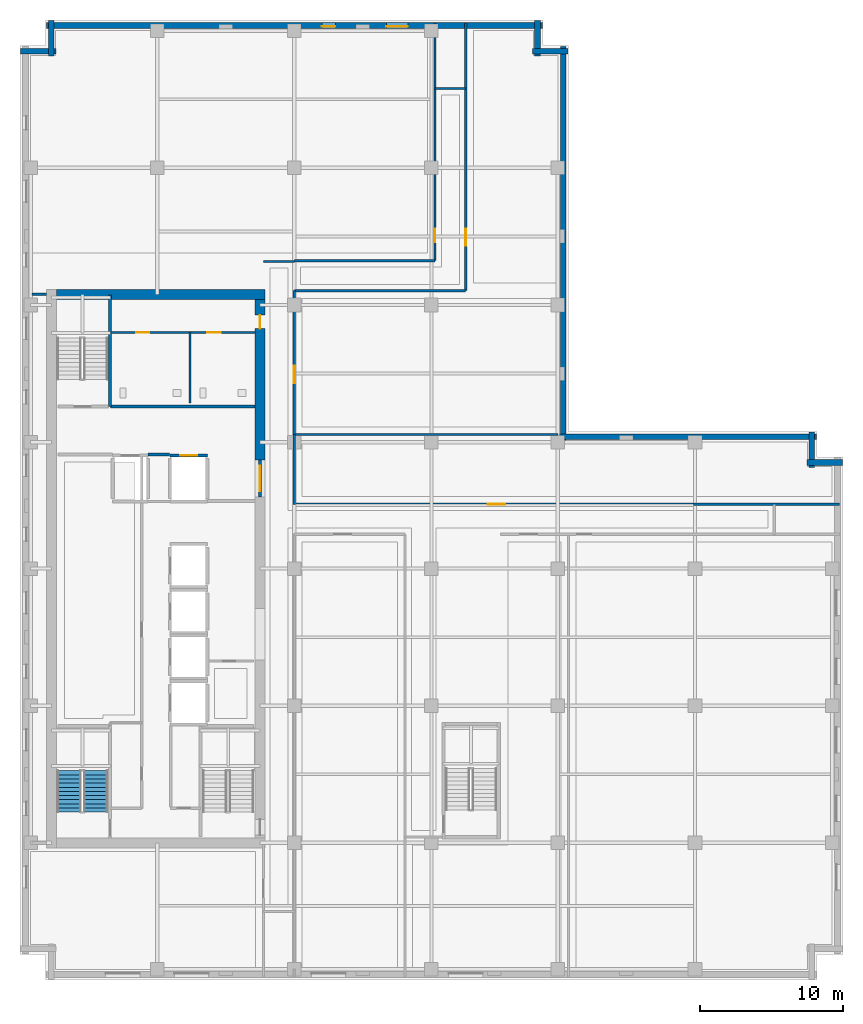
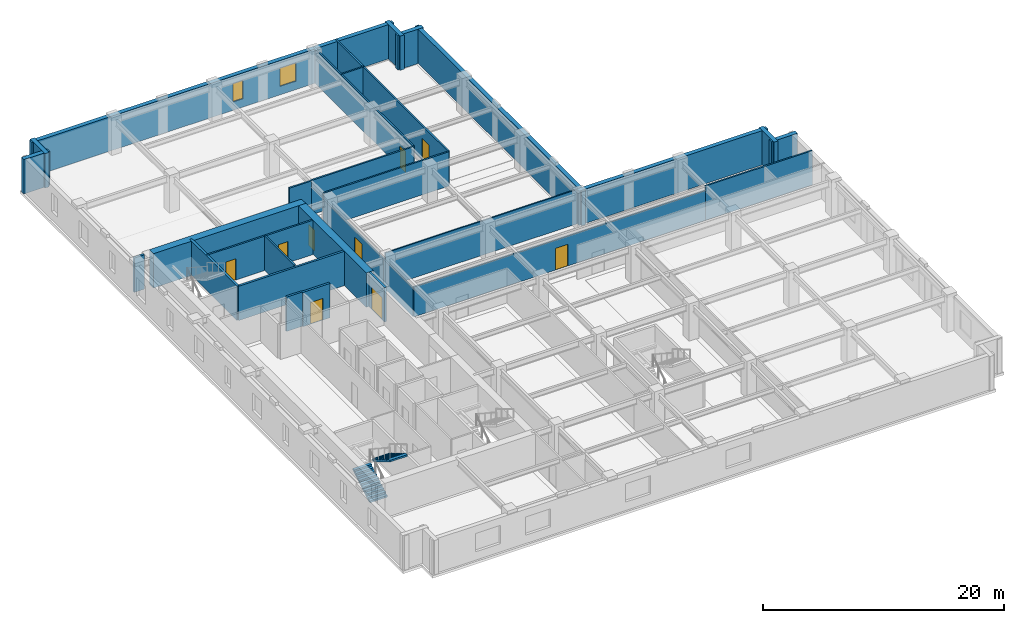
# One storey, part 7 of 13: 30 walls, 9 doors, 2 stair flights, 2 windows, 11 openings, 1 element without a shape of its own.
"""IFC4 building model written with IfcOpenShell, lengths in metres."""

from ifc_helpers import new_model, si_unit, direction, frame, frame_2d, origin, place, context, subcontext, project, spatial, polyline, rectangle, outline, extrude, material, layer, layer_set, type_object, element, fill, aggregate, save


model = new_model("IFC4")

# Units and contexts
model_context = context("Model", 3, precision=1e-05, world=origin(), true_north=direction((0.0, 1.0)))
body_context = subcontext(model_context, "Body", "Model", "MODEL_VIEW")
ifc_project = project(units=[si_unit("LENGTHUNIT", "METRE"), si_unit("AREAUNIT", "SQUARE_METRE"), si_unit("VOLUMEUNIT", "CUBIC_METRE"), si_unit("PLANEANGLEUNIT", "RADIAN"), si_unit("MASSUNIT", "GRAM", prefix="KILO")], contexts=[model_context])

# Site, building, storey
site_placement = place(None, origin())
site = spatial("IfcSite", under=ifc_project, at=site_placement, CompositionType="ELEMENT")
building_placement = place(site_placement, origin())
building = spatial("IfcBuilding", under=site, at=building_placement, Name="Norrvale University Quadrangle", CompositionType="ELEMENT")
storey_placement = place(building_placement, frame((0.0, 0.0, 190.199951171875)))
storey = spatial("IfcBuildingStorey", under=building, at=storey_placement, Name="L48", CompositionType="ELEMENT", Elevation=190.199951171875)

# Wall
ifc_material_1 = material(Name="Concrete C60/75", Category="concrete")
ifc_layer_1 = layer(ifc_material_1, 0.699951171875, Name="Concrete C60/75")
ifc_layer_set_1 = layer_set([ifc_layer_1], Name="Concrete C60/75")
wall_type_1 = type_object("IfcWallType", Name="Wall Core 700", PredefinedType="SHEAR", material=ifc_layer_set_1)
wall_1_placement = place(storey_placement, frame((2.550048828125, 48.0, 0.0), z_axis=(0.0, 0.0, 1.0), x_axis=(1.0, 0.0, 0.0)))
element("IfcWall", 1, at=wall_1_placement, inside=storey, type_object=wall_type_1, Name="Tower Core Shear Wall L48-N", PredefinedType="SHEAR", context=body_context, shape_type="SweptSolid", body=[
    extrude(rectangle(XDim=14.599853515625, YDim=0.699951171875, at=frame_2d((7.2998046875, 0.0))), origin(), (0.0, 0.0, 1.0), 3.47998046875),
])

# Wall, opening, door
wall_2_placement = place(storey_placement, frame((16.800048828125, 36.39990234375, 0.0), z_axis=(0.0, 0.0, 1.0), x_axis=(0.0, 1.0, 0.0)))
wall_2 = element("IfcWall", 2, at=wall_2_placement, inside=storey, type_object=wall_type_1, Name="Tower Core Shear Wall L48-E3", PredefinedType="SHEAR", context=body_context, shape_type="SweptSolid", body=[
    extrude(rectangle(XDim=11.25, YDim=0.699951171875, at=frame_2d((5.625, 0.0))), origin(), (0.0, 0.0, 1.0), 3.47998046875),
])
opening_1_placement = place(wall_2_placement, frame((9.199951171875, 0.0, 0.0)))
opening_1 = element("IfcOpeningElement", 3, at=opening_1_placement, cuts=wall_2, Name="Opening D07", PredefinedType="OPENING", context=body_context, shape_type="SweptSolid", body=[
    extrude(rectangle(XDim=0.949951171875, YDim=2.14990234375, at=frame_2d((0.47509765625, 1.074951171875))), frame((0.0, 0.362060546875, 0.0), z_axis=(0.0, -1.0, 0.0), x_axis=(1.0, 0.0, 0.0)), (0.0, 0.0, 1.0), 0.723876953125),
])
ifc_material_2 = material(Name="Solid-Core Maple Door", Category="wood")
door_type_1 = type_object("IfcDoorType", Name="Door Office 950x2150", OperationType="NOTDEFINED", PredefinedType="DOOR", material=ifc_material_2)
door_1_placement = place(opening_1_placement, origin())
door_1 = element("IfcDoor", 4, at=door_1_placement, inside=storey, type_object=door_type_1, Name="Door Office 950x2150 DR-L48-NECORR", OperationType="SINGLE_SWING_LEFT", OverallHeight=2.14990234375, OverallWidth=0.949951171875, PredefinedType="DOOR", context=body_context, shape_type="SweptSolid", body=[
    extrude(rectangle(XDim=0.949951171875, YDim=2.14990234375, at=frame_2d((0.47509765625, 1.074951171875))), frame((0.0, 0.02490234375, 0.0), z_axis=(0.0, -1.0, 0.0), x_axis=(1.0, 0.0, 0.0)), (0.0, 0.0, 1.0), 0.050048828125),
])
fill(opening_1, door_1)

# Walls
ifc_material_3 = material(Name="Standard Academic Gypsum Partition")
ifc_layer_2 = layer(ifc_material_3, 0.125, Name="Standard Academic Gypsum Partition")
ifc_layer_set_2 = layer_set([ifc_layer_2], Name="Standard Academic Gypsum Partition")
wall_type_2 = type_object("IfcWallType", Name="Wall Gypsum Academic 125", PredefinedType="PARTITIONING", material=ifc_layer_set_2)
wall_3_placement = place(storey_placement, frame((19.280029296875, 38.179931640625, 0.0), z_axis=(0.0, 0.0, 1.0), x_axis=(1.0, 0.0, 0.0)))
element("IfcWall", 5, at=wall_3_placement, inside=storey, type_object=wall_type_2, Name="Interior Partition WL-L48-ME-N", PredefinedType="PARTITIONING", context=body_context, shape_type="SweptSolid", body=[
    extrude(rectangle(XDim=18.369873046875, YDim=0.125, at=frame_2d((9.18505859375, 0.0))), origin(), (0.0, 0.0, 1.0), 3.47998046875),
])
ifc_material_4 = material(Name="Fire-Rated Gypsum Stud Partition")
ifc_layer_3 = layer(ifc_material_4, 0.14990234375, Name="Fire-Rated Gypsum Stud Partition")
ifc_layer_set_3 = layer_set([ifc_layer_3], Name="Fire-Rated Gypsum Stud Partition")
wall_type_3 = type_object("IfcWallType", Name="Wall Gypsum Corridor 150", PredefinedType="PARTITIONING", material=ifc_layer_set_3)
wall_4_placement = place(storey_placement, frame((17.050048828125, 50.300048828125, 0.0), z_axis=(0.0, 0.0, 1.0), x_axis=(1.0, 0.0, 0.0)))
element("IfcWall", 6, at=wall_4_placement, inside=storey, type_object=wall_type_3, Name="Interior Partition WL-L48-CSP-N", PredefinedType="PARTITIONING", context=body_context, shape_type="SweptSolid", body=[
    extrude(rectangle(XDim=2.14990234375, YDim=0.14990234375, at=frame_2d((1.074951171875, 0.0))), origin(), (0.0, 0.0, 1.0), 3.47998046875),
])

# Wall, opening, door
wall_5_placement = place(storey_placement, frame((19.199951171875, 33.300048828125, 0.0), z_axis=(0.0, 0.0, 1.0), x_axis=(1.0, 0.0, 0.0)))
wall_5 = element("IfcWall", 7, at=wall_5_placement, inside=storey, type_object=wall_type_3, Name="Interior Partition WL-L48-MECW", PredefinedType="PARTITIONING", context=body_context, shape_type="SweptSolid", body=[
    extrude(rectangle(XDim=27.93505859375, YDim=0.14990234375, at=frame_2d((13.967529296875, 0.0))), origin(), (0.0, 0.0, 1.0), 3.02294921875),
])
opening_2_placement = place(wall_5_placement, frame((13.550048828125, 0.0, 0.0)))
opening_2 = element("IfcOpeningElement", 8, at=opening_2_placement, cuts=wall_5, Name="Opening D05", PredefinedType="OPENING", context=body_context, shape_type="SweptSolid", body=[
    extrude(rectangle(XDim=1.199951171875, YDim=2.199951171875, at=frame_2d((0.60009765625, 1.10009765625))), frame((0.0, 0.0869140625, 0.0), z_axis=(0.0, -1.0, 0.0), x_axis=(1.0, 0.0, 0.0)), (0.0, 0.0, 1.0), 0.173828125),
])
ifc_material_5 = material(Name="Acoustic Oak Classroom Door", Category="wood")
door_type_2 = type_object("IfcDoorType", Name="Door Classroom 1200x2200", OperationType="NOTDEFINED", PredefinedType="DOOR", material=ifc_material_5)
door_2_placement = place(opening_2_placement, origin())
door_2 = element("IfcDoor", 9, at=door_2_placement, inside=storey, type_object=door_type_2, Name="Door Classroom 1200x2200 DR-L48-ME01", OperationType="SINGLE_SWING_LEFT", OverallHeight=2.199951171875, OverallWidth=1.199951171875, PredefinedType="DOOR", context=body_context, shape_type="SweptSolid", body=[
    extrude(rectangle(XDim=1.199951171875, YDim=2.199951171875, at=frame_2d((0.60009765625, 1.10009765625))), frame((0.0, 0.02490234375, 0.0), z_axis=(0.0, -1.0, 0.0), x_axis=(1.0, 0.0, 0.0)), (0.0, 0.0, 1.0), 0.050048828125),
])
fill(opening_2, door_2)

# Walls
wall_6_placement = place(storey_placement, frame((47.135009765625, 33.300048828125, 0.0), z_axis=(0.0, 0.0, 1.0), x_axis=(1.0, 0.0, 0.0)))
element("IfcWall", 10, at=wall_6_placement, inside=storey, type_object=wall_type_3, Name="Interior Partition WL-L48-MECW-B2", PredefinedType="PARTITIONING", context=body_context, shape_type="SweptSolid", body=[
    extrude(rectangle(XDim=10.244873046875, YDim=0.14990234375, at=frame_2d((5.12255859375, 0.0))), origin(), (0.0, 0.0, 1.0), 3.47998046875),
])
wall_7_placement = place(storey_placement, frame((19.199951171875, 33.300048828125, 0.0), z_axis=(0.0, 0.0, 1.0), x_axis=(0.0, 1.0, 0.0)))
element("IfcWall", 11, at=wall_7_placement, inside=storey, type_object=wall_type_3, Name="Interior Partition WL-L48-ME-W", PredefinedType="PARTITIONING", context=body_context, shape_type="SweptSolid", body=[
    extrude(rectangle(XDim=4.8798828125, YDim=0.14990234375, at=frame_2d((2.43994140625, 0.0))), origin(), (0.0, 0.0, 1.0), 2.863037109375),
])

# Wall, opening, door
wall_8_placement = place(storey_placement, frame((19.199951171875, 38.179931640625, 0.0), z_axis=(0.0, 0.0, 1.0), x_axis=(0.0, 1.0, 0.0)))
wall_8 = element("IfcWall", 12, at=wall_8_placement, inside=storey, type_object=wall_type_3, Name="Interior Partition WL-L48-MNECW", PredefinedType="PARTITIONING", context=body_context, shape_type="SweptSolid", body=[
    extrude(rectangle(XDim=10.070068359375, YDim=0.14990234375, at=frame_2d((5.03515625, 0.0))), origin(), (0.0, 0.0, 1.0), 2.863037109375),
])
opening_3_placement = place(wall_8_placement, frame((3.60009765625, 0.0, 0.0)))
opening_3 = element("IfcOpeningElement", 13, at=opening_3_placement, cuts=wall_8, Name="Opening D05", PredefinedType="OPENING", context=body_context, shape_type="SweptSolid", body=[
    extrude(rectangle(XDim=1.199951171875, YDim=2.199951171875, at=frame_2d((0.60009765625, 1.10009765625))), frame((0.0, 0.0869140625, 0.0), z_axis=(0.0, -1.0, 0.0), x_axis=(1.0, 0.0, 0.0)), (0.0, 0.0, 1.0), 0.173828125),
])
door_3_placement = place(opening_3_placement, origin())
door_3 = element("IfcDoor", 14, at=door_3_placement, inside=storey, type_object=door_type_2, Name="Door Classroom 1200x2200 DR-L48-MNE01", OperationType="SINGLE_SWING_RIGHT", OverallHeight=2.199951171875, OverallWidth=1.199951171875, PredefinedType="DOOR", context=body_context, shape_type="SweptSolid", body=[
    extrude(rectangle(XDim=1.199951171875, YDim=2.199951171875, at=frame_2d((0.60009765625, 1.10009765625))), frame((0.0, 0.02490234375, 0.0), z_axis=(0.0, -1.0, 0.0), x_axis=(1.0, 0.0, 0.0)), (0.0, 0.0, 1.0), 0.050048828125),
])
fill(opening_3, door_3)

# Walls
wall_9_placement = place(storey_placement, frame((19.199951171875, 48.25, 0.0), z_axis=(0.0, 0.0, 1.0), x_axis=(1.0, 0.0, 0.0)))
element("IfcWall", 15, at=wall_9_placement, inside=storey, type_object=wall_type_3, Name="Interior Partition WL-L48-JOGS", PredefinedType="PARTITIONING", context=body_context, shape_type="SweptSolid", body=[
    extrude(rectangle(XDim=12.0, YDim=0.14990234375, at=frame_2d((6.0, 0.0))), origin(), (0.0, 0.0, 1.0), 3.47998046875),
])
wall_10_placement = place(storey_placement, frame((19.199951171875, 50.35009765625, 0.0), z_axis=(0.0, 0.0, 1.0), x_axis=(1.0, 0.0, 0.0)))
element("IfcWall", 16, at=wall_10_placement, inside=storey, type_object=wall_type_3, Name="Interior Partition WL-L48-JOGN", PredefinedType="PARTITIONING", context=body_context, shape_type="SweptSolid", body=[
    extrude(rectangle(XDim=9.85009765625, YDim=0.14990234375, at=frame_2d((4.925048828125, 0.0))), origin(), (0.0, 0.0, 1.0), 3.47998046875),
])
wall_11_placement = place(storey_placement, frame((29.050048828125, 62.39990234375, 0.0), z_axis=(0.0, 0.0, 1.0), x_axis=(1.0, 0.0, 0.0)))
element("IfcWall", 17, at=wall_11_placement, inside=storey, type_object=wall_type_3, Name="Interior Partition WL-L48-JOGEND", PredefinedType="PARTITIONING", context=body_context, shape_type="SweptSolid", body=[
    extrude(rectangle(XDim=2.14990234375, YDim=0.14990234375, at=frame_2d((1.074951171875, 0.0))), origin(), (0.0, 0.0, 1.0), 3.47998046875),
])

# Wall, opening, door
wall_12_placement = place(storey_placement, frame((31.199951171875, 48.25, 0.0), z_axis=(0.0, 0.0, 1.0), x_axis=(0.0, 1.0, 0.0)))
wall_12 = element("IfcWall", 18, at=wall_12_placement, inside=storey, type_object=wall_type_3, Name="Interior Partition WL-L48-NECW", PredefinedType="PARTITIONING", context=body_context, shape_type="SweptSolid", body=[
    extrude(rectangle(XDim=18.72998046875, YDim=0.14990234375, at=frame_2d((9.364990234375, 0.0))), origin(), (0.0, 0.0, 1.0), 3.47998046875),
])
opening_4_placement = place(wall_12_placement, frame((3.14990234375, 0.0, 0.0)))
opening_4 = element("IfcOpeningElement", 19, at=opening_4_placement, cuts=wall_12, Name="Opening D05", PredefinedType="OPENING", context=body_context, shape_type="SweptSolid", body=[
    extrude(rectangle(XDim=1.199951171875, YDim=2.199951171875, at=frame_2d((0.60009765625, 1.10009765625))), frame((0.0, 0.0869140625, 0.0), z_axis=(0.0, -1.0, 0.0), x_axis=(1.0, 0.0, 0.0)), (0.0, 0.0, 1.0), 0.173828125),
])
door_4_placement = place(opening_4_placement, origin())
door_4 = element("IfcDoor", 20, at=door_4_placement, inside=storey, type_object=door_type_2, Name="Door Classroom 1200x2200 DR-L48-NE01", OperationType="SINGLE_SWING_RIGHT", OverallHeight=2.199951171875, OverallWidth=1.199951171875, PredefinedType="DOOR", context=body_context, shape_type="SweptSolid", body=[
    extrude(rectangle(XDim=1.199951171875, YDim=2.199951171875, at=frame_2d((0.60009765625, 1.10009765625))), frame((0.0, 0.02490234375, 0.0), z_axis=(0.0, -1.0, 0.0), x_axis=(1.0, 0.0, 0.0)), (0.0, 0.0, 1.0), 0.050048828125),
])
fill(opening_4, door_4)

wall_13_placement = place(storey_placement, frame((29.050048828125, 50.35009765625, 0.0), z_axis=(0.0, 0.0, 1.0), x_axis=(0.0, 1.0, 0.0)))
wall_13 = element("IfcWall", 21, at=wall_13_placement, inside=storey, type_object=wall_type_3, Name="Interior Partition WL-L48-NWCW", PredefinedType="PARTITIONING", context=body_context, shape_type="SweptSolid", body=[
    extrude(rectangle(XDim=16.6298828125, YDim=0.14990234375, at=frame_2d((8.31494140625, 0.0))), origin(), (0.0, 0.0, 1.0), 3.47998046875),
])
opening_5_placement = place(wall_13_placement, frame((1.300048828125, 0.0, 0.0)))
opening_5 = element("IfcOpeningElement", 22, at=opening_5_placement, cuts=wall_13, Name="Opening D07", PredefinedType="OPENING", context=body_context, shape_type="SweptSolid", body=[
    extrude(rectangle(XDim=0.949951171875, YDim=2.14990234375, at=frame_2d((0.47509765625, 1.074951171875))), frame((0.0, 0.0869140625, 0.0), z_axis=(0.0, -1.0, 0.0), x_axis=(1.0, 0.0, 0.0)), (0.0, 0.0, 1.0), 0.173828125),
])
door_5_placement = place(opening_5_placement, origin())
door_5 = element("IfcDoor", 23, at=door_5_placement, inside=storey, type_object=door_type_1, Name="Door Office 950x2150 DR-L48-NW01", OperationType="SINGLE_SWING_RIGHT", OverallHeight=2.14990234375, OverallWidth=0.949951171875, PredefinedType="DOOR", context=body_context, shape_type="SweptSolid", body=[
    extrude(rectangle(XDim=0.949951171875, YDim=2.14990234375, at=frame_2d((0.47509765625, 1.074951171875))), frame((0.0, 0.02490234375, 0.0), z_axis=(0.0, -1.0, 0.0), x_axis=(1.0, 0.0, 0.0)), (0.0, 0.0, 1.0), 0.050048828125),
])
fill(opening_5, door_5)

# Wall, openings, doors
ifc_material_6 = material(Name="Sanitary Chase Gypsum Partition")
ifc_layer_4 = layer(ifc_material_6, 0.1650390625, Name="Sanitary Chase Gypsum Partition")
ifc_layer_set_4 = layer_set([ifc_layer_4], Name="Sanitary Chase Gypsum Partition")
wall_type_4 = type_object("IfcWallType", Name="Wall Gypsum Sanitary 165", PredefinedType="PLUMBINGWALL", material=ifc_layer_set_4)
wall_14_placement = place(storey_placement, frame((6.320068359375, 45.320068359375, 0.0), z_axis=(0.0, 0.0, 1.0), x_axis=(1.0, 0.0, 0.0)))
wall_14 = element("IfcWall", 24, at=wall_14_placement, inside=storey, type_object=wall_type_4, Name="Interior Partition WL-L48-WCN", PredefinedType="PLUMBINGWALL", context=body_context, shape_type="SweptSolid", body=[
    extrude(rectangle(XDim=10.1298828125, YDim=0.1650390625, at=frame_2d((5.06494140625, 0.0))), origin(), (0.0, 0.0, 1.0), 3.47998046875),
])
opening_6_placement = place(wall_14_placement, frame((1.800048828125, 0.0, 0.0)))
opening_6 = element("IfcOpeningElement", 25, at=opening_6_placement, cuts=wall_14, Name="Opening D08", PredefinedType="OPENING", context=body_context, shape_type="SweptSolid", body=[
    extrude(rectangle(XDim=0.919921875, YDim=2.14990234375, at=frame_2d((0.4599609375, 1.074951171875))), frame((0.0, 0.094482421875, 0.0), z_axis=(0.0, -1.0, 0.0), x_axis=(1.0, 0.0, 0.0)), (0.0, 0.0, 1.0), 0.18896484375),
])
opening_7_placement = place(wall_14_placement, frame((6.800048828125, 0.0, 0.0)))
opening_7 = element("IfcOpeningElement", 26, at=opening_7_placement, cuts=wall_14, Name="Opening D08", PredefinedType="OPENING", context=body_context, shape_type="SweptSolid", body=[
    extrude(rectangle(XDim=0.919921875, YDim=2.14990234375, at=frame_2d((0.4599609375, 1.074951171875))), frame((0.0, 0.094482421875, 0.0), z_axis=(0.0, -1.0, 0.0), x_axis=(1.0, 0.0, 0.0)), (0.0, 0.0, 1.0), 0.18896484375),
])
ifc_material_7 = material(Name="Laminate Washroom Door", Category="wood")
door_type_3 = type_object("IfcDoorType", Name="Door Washroom 920x2150", OperationType="NOTDEFINED", PredefinedType="DOOR", material=ifc_material_7)
door_6_placement = place(opening_6_placement, origin())
door_6 = element("IfcDoor", 27, at=door_6_placement, inside=storey, type_object=door_type_3, Name="Door Washroom 920x2150 DR-L48-WC1", OperationType="SINGLE_SWING_LEFT", OverallHeight=2.14990234375, OverallWidth=0.919921875, PredefinedType="DOOR", context=body_context, shape_type="SweptSolid", body=[
    extrude(rectangle(XDim=0.919921875, YDim=2.14990234375, at=frame_2d((0.4599609375, 1.074951171875))), frame((0.0, 0.02490234375, 0.0), z_axis=(0.0, -1.0, 0.0), x_axis=(1.0, 0.0, 0.0)), (0.0, 0.0, 1.0), 0.050048828125),
])
fill(opening_6, door_6)
door_7_placement = place(opening_7_placement, origin())
door_7 = element("IfcDoor", 28, at=door_7_placement, inside=storey, type_object=door_type_3, Name="Door Washroom 920x2150 DR-L48-WC2", OperationType="SINGLE_SWING_RIGHT", OverallHeight=2.14990234375, OverallWidth=0.919921875, PredefinedType="DOOR", context=body_context, shape_type="SweptSolid", body=[
    extrude(rectangle(XDim=0.919921875, YDim=2.14990234375, at=frame_2d((0.4599609375, 1.074951171875))), frame((0.0, 0.02490234375, 0.0), z_axis=(0.0, -1.0, 0.0), x_axis=(1.0, 0.0, 0.0)), (0.0, 0.0, 1.0), 0.050048828125),
])
fill(opening_7, door_7)

# Walls
wall_15_placement = place(storey_placement, frame((11.89990234375, 40.39990234375, 0.0), z_axis=(0.0, 0.0, 1.0), x_axis=(0.0, 1.0, 0.0)))
element("IfcWall", 29, at=wall_15_placement, inside=storey, type_object=wall_type_4, Name="Interior Partition WL-L48-WCM1", PredefinedType="PLUMBINGWALL", context=body_context, shape_type="SweptSolid", body=[
    extrude(rectangle(XDim=4.920166015625, YDim=0.1650390625, at=frame_2d((2.4599609375, 0.0))), origin(), (0.0, 0.0, 1.0), 3.47998046875),
])
ifc_material_8 = material(Name="Concrete Blockwork 20 MPa Rated Wall", Category="masonry")
ifc_layer_5 = layer(ifc_material_8, 0.199951171875, Name="Concrete Blockwork 20 MPa Rated Wall")
ifc_layer_set_5 = layer_set([ifc_layer_5], Name="Concrete Blockwork 20 MPa Rated Wall")
wall_type_5 = type_object("IfcWallType", Name="Wall Lobby 200", PredefinedType="SOLIDWALL", material=ifc_layer_set_5)
wall_16_placement = place(storey_placement, frame((8.969970703125, 36.780029296875, 0.0), z_axis=(0.0, 0.0, 1.0), x_axis=(1.0, 0.0, 0.0)))
element("IfcWall", 30, at=wall_16_placement, inside=storey, type_object=wall_type_5, Name="Interior Partition WL-L48-FF2", PredefinedType="SOLIDWALL", context=body_context, shape_type="SweptSolid", body=[
    extrude(rectangle(XDim=1.510009765625, YDim=0.199951171875, at=frame_2d((0.7548828125, 0.0))), origin(), (0.0, 0.0, 1.0), 3.47998046875),
])
wall_17_placement = place(storey_placement, frame((6.320068359375, 40.139892578125, 0.0), z_axis=(0.0, 0.0, 1.0), x_axis=(1.0, 0.0, 0.0)))
element("IfcWall", 31, at=wall_17_placement, inside=storey, type_object=wall_type_5, Name="Interior Partition WL-L48-FF4", PredefinedType="SOLIDWALL", context=body_context, shape_type="SweptSolid", body=[
    extrude(rectangle(XDim=10.1298828125, YDim=0.199951171875, at=frame_2d((5.06494140625, 0.0))), origin(), (0.0, 0.0, 1.0), 3.47998046875),
])

# Wall, opening, door
wall_18_placement = place(storey_placement, frame((16.800048828125, 33.800048828125, 0.0), z_axis=(0.0, 0.0, 1.0), x_axis=(0.0, 1.0, 0.0)))
wall_18 = element("IfcWall", 32, at=wall_18_placement, inside=storey, type_object=wall_type_5, Name="Interior Partition WL-L48-FFP", PredefinedType="SOLIDWALL", context=body_context, shape_type="SweptSolid", body=[
    extrude(rectangle(XDim=2.599853515625, YDim=0.199951171875, at=frame_2d((1.2998046875, 0.0))), origin(), (0.0, 0.0, 1.0), 3.47998046875),
])
opening_8_placement = place(wall_18_placement, frame((0.39990234375, 0.0, 0.0)))
opening_8 = element("IfcOpeningElement", 33, at=opening_8_placement, cuts=wall_18, Name="Opening D03", PredefinedType="OPENING", context=body_context, shape_type="SweptSolid", body=[
    extrude(rectangle(XDim=1.800048828125, YDim=2.199951171875, at=frame_2d((0.89990234375, 1.10009765625))), frame((0.0, 0.112060546875, 0.0), z_axis=(0.0, -1.0, 0.0), x_axis=(1.0, 0.0, 0.0)), (0.0, 0.0, 1.0), 0.223876953125),
])
ifc_material_9 = material(Name="Hollow Steel 350W Fire Door", Category="steel")
door_type_4 = type_object("IfcDoorType", Name="Door Fire Lobby 1800x2200", OperationType="DOUBLE_DOOR_SINGLE_SWING", PredefinedType="DOOR", material=ifc_material_9)
door_8_placement = place(opening_8_placement, origin())
door_8 = element("IfcDoor", 34, at=door_8_placement, inside=storey, type_object=door_type_4, Name="Door Fire Lobby 1800x2200 DR-L48-FFP", OperationType="DOUBLE_DOOR_SINGLE_SWING", OverallHeight=2.199951171875, OverallWidth=1.800048828125, PredefinedType="DOOR", context=body_context, shape_type="SweptSolid", body=[
    extrude(rectangle(XDim=1.800048828125, YDim=2.199951171875, at=frame_2d((0.89990234375, 1.10009765625))), frame((0.0, 0.02490234375, 0.0), z_axis=(0.0, -1.0, 0.0), x_axis=(1.0, 0.0, 0.0)), (0.0, 0.0, 1.0), 0.050048828125),
])
fill(opening_8, door_8)

# Walls
wall_19_placement = place(storey_placement, frame((0.85009765625, 48.0, 0.0), z_axis=(0.0, 0.0, 1.0), x_axis=(1.0, 0.0, 0.0)))
element("IfcWall", 35, at=wall_19_placement, inside=storey, type_object=wall_type_5, Name="Interior Partition WL-L48-CWRET-N", PredefinedType="SOLIDWALL", context=body_context, shape_type="SweptSolid", body=[
    extrude(rectangle(XDim=0.994873046875, YDim=0.199951171875, at=frame_2d((0.49755859375, 0.0))), origin(), (0.0, 0.0, 1.0), 3.47998046875),
])
ifc_material_10 = material(Name="Red Manganese Brick Masonry", Category="masonry")
ifc_layer_6 = layer(ifc_material_10, 0.39990234375, Name="Red Manganese Brick Masonry")
ifc_layer_set_6 = layer_set([ifc_layer_6], Name="Red Manganese Brick Masonry")
wall_type_6 = type_object("IfcWallType", Name="Wall Red Brick 400", PredefinedType="SOLIDWALL", material=ifc_layer_set_6)
wall_20_placement = place(storey_placement, frame((57.56005859375, 36.219970703125, 0.0), z_axis=(0.0, 0.0, 1.0), x_axis=(-1.0, 0.0, 0.0)))
element("IfcWall", 36, at=wall_20_placement, inside=storey, type_object=wall_type_6, Name="Exterior Brick Facade Wall L48-05.1", PredefinedType="SOLIDWALL", context=body_context, shape_type="SweptSolid", body=[
    extrude(rectangle(XDim=2.47998046875, YDim=0.39990234375, at=frame_2d((1.239990234375, 0.0))), origin(), (0.0, 0.0, 1.0), 3.47998046875),
])
wall_21_placement = place(storey_placement, frame((55.419921875, 35.8798828125, 0.0), z_axis=(0.0, 0.0, 1.0), x_axis=(0.0, 1.0, 0.0)))
element("IfcWall", 37, at=wall_21_placement, inside=storey, type_object=wall_type_6, Name="Exterior Brick Facade Wall L48-06.1", PredefinedType="SOLIDWALL", context=body_context, shape_type="SweptSolid", body=[
    extrude(rectangle(XDim=2.480224609375, YDim=0.39990234375, at=frame_2d((1.240234375, 0.0))), origin(), (0.0, 0.0, 1.0), 3.47998046875),
])
wall_22_placement = place(storey_placement, frame((55.760009765625, 38.02001953125, 0.0), z_axis=(0.0, 0.0, 1.0), x_axis=(-1.0, 0.0, 0.0)))
element("IfcWall", 38, at=wall_22_placement, inside=storey, type_object=wall_type_6, Name="Exterior Brick Facade Wall L48-07.1", PredefinedType="SOLIDWALL", context=body_context, shape_type="SweptSolid", body=[
    extrude(rectangle(XDim=18.080078125, YDim=0.39990234375, at=frame_2d((9.0400390625, 0.0))), origin(), (0.0, 0.0, 1.0), 3.47998046875),
])
wall_23_placement = place(storey_placement, frame((38.02001953125, 37.679931640625, 0.0), z_axis=(0.0, 0.0, 1.0), x_axis=(0.0, 1.0, 0.0)))
element("IfcWall", 39, at=wall_23_placement, inside=storey, type_object=wall_type_6, Name="Exterior Brick Facade Wall L48-08.1", PredefinedType="SOLIDWALL", context=body_context, shape_type="SweptSolid", body=[
    extrude(rectangle(XDim=27.68017578125, YDim=0.39990234375, at=frame_2d((13.840087890625, 0.0))), origin(), (0.0, 0.0, 1.0), 3.47998046875),
])
wall_24_placement = place(storey_placement, frame((38.360107421875, 65.02001953125, 0.0), z_axis=(0.0, 0.0, 1.0), x_axis=(-1.0, 0.0, 0.0)))
element("IfcWall", 40, at=wall_24_placement, inside=storey, type_object=wall_type_6, Name="Exterior Brick Facade Wall L48-09.1", PredefinedType="SOLIDWALL", context=body_context, shape_type="SweptSolid", body=[
    extrude(rectangle(XDim=2.480224609375, YDim=0.39990234375, at=frame_2d((1.240234375, 0.0))), origin(), (0.0, 0.0, 1.0), 3.47998046875),
])
wall_25_placement = place(storey_placement, frame((36.219970703125, 64.679931640625, 0.0), z_axis=(0.0, 0.0, 1.0), x_axis=(0.0, 1.0, 0.0)))
element("IfcWall", 41, at=wall_25_placement, inside=storey, type_object=wall_type_6, Name="Exterior Brick Facade Wall L48-10.1", PredefinedType="SOLIDWALL", context=body_context, shape_type="SweptSolid", body=[
    extrude(rectangle(XDim=2.47998046875, YDim=0.39990234375, at=frame_2d((1.239990234375, 0.0))), origin(), (0.0, 0.0, 1.0), 3.47998046875),
])

# Wall, openings, windows
wall_26_placement = place(storey_placement, frame((36.56005859375, 66.820068359375, 0.0), z_axis=(0.0, 0.0, 1.0), x_axis=(-1.0, 0.0, 0.0)))
wall_26 = element("IfcWall", 42, at=wall_26_placement, inside=storey, type_object=wall_type_6, Name="Exterior Brick Facade Wall L48-11.1", PredefinedType="SOLIDWALL", context=body_context, shape_type="SweptSolid", body=[
    extrude(rectangle(XDim=34.719970703125, YDim=0.39990234375, at=frame_2d((17.35986328125, 0.0))), origin(), (0.0, 0.0, 1.0), 3.47998046875),
])
opening_9_placement = place(wall_26_placement, frame((9.409912109375, 0.0, 0.85009765625)))
opening_9 = element("IfcOpeningElement", 43, at=opening_9_placement, cuts=wall_26, Name="Opening W03", PredefinedType="OPENING", context=body_context, shape_type="SweptSolid", body=[
    extrude(rectangle(XDim=1.5, YDim=1.85009765625, at=frame_2d((0.75, 0.925048828125))), frame((0.0, 0.2119140625, 0.0), z_axis=(0.0, -1.0, 0.0), x_axis=(1.0, 0.0, 0.0)), (0.0, 0.0, 1.0), 0.423828125),
])
opening_10_placement = place(wall_26_placement, frame((14.485107421875, 0.0, 0.85009765625)))
opening_10 = element("IfcOpeningElement", 44, at=opening_10_placement, cuts=wall_26, Name="Opening W04", PredefinedType="OPENING", context=body_context, shape_type="SweptSolid", body=[
    extrude(rectangle(XDim=0.949951171875, YDim=1.85009765625, at=frame_2d((0.47509765625, 0.925048828125))), frame((0.0, 0.2119140625, 0.0), z_axis=(0.0, -1.0, 0.0), x_axis=(1.0, 0.0, 0.0)), (0.0, 0.0, 1.0), 0.423828125),
])
ifc_material_11 = material(Name="Triple Low-E Argon Glazing", Category="glass")
window_type_1 = type_object("IfcWindowType", Name="Window Narrow Pier 950x2300", PartitioningType="SINGLE_PANEL", PredefinedType="WINDOW", material=ifc_material_11)
window_1_placement = place(opening_10_placement, origin())
window_1 = element("IfcWindow", 45, at=window_1_placement, inside=storey, type_object=window_type_1, Name="Window Narrow Pier 950x2300 WIN-L48-E11-1-02", OverallHeight=1.85009765625, OverallWidth=0.949951171875, PartitioningType="SINGLE_PANEL", PredefinedType="WINDOW", context=body_context, shape_type="SweptSolid", body=[
    extrude(rectangle(XDim=0.949951171875, YDim=1.85009765625, at=frame_2d((0.47509765625, 0.925048828125))), frame((0.0, 0.110107421875, 0.0), z_axis=(0.0, -1.0, 0.0), x_axis=(1.0, 0.0, 0.0)), (0.0, 0.0, 1.0), 0.06005859375),
])
fill(opening_10, window_1)
window_type_2 = type_object("IfcWindowType", Name="Window Studio 1500x2300", PartitioningType="DOUBLE_PANEL_VERTICAL", PredefinedType="WINDOW", material=ifc_material_11)
window_2_placement = place(opening_9_placement, origin())
window_2 = element("IfcWindow", 46, at=window_2_placement, inside=storey, type_object=window_type_2, Name="Window Studio 1500x2300 WIN-L48-E11-1-01", OverallHeight=1.85009765625, OverallWidth=1.5, PartitioningType="DOUBLE_PANEL_VERTICAL", PredefinedType="WINDOW", context=body_context, shape_type="SweptSolid", body=[
    extrude(rectangle(XDim=1.5, YDim=1.85009765625, at=frame_2d((0.75, 0.925048828125))), frame((0.0, 0.110107421875, 0.0), z_axis=(0.0, -1.0, 0.0), x_axis=(1.0, 0.0, 0.0)), (0.0, 0.0, 1.0), 0.06005859375),
])
fill(opening_9, window_2)

# Walls
for number, where, z_axis, x_axis, name in (
    (47, (2.179931640625, 67.159912109375, 0.0), (0.0, 0.0, 1.0), (0.0, -1.0, 0.0), "Exterior Brick Facade Wall L48-12.1"),
    (48, (2.52001953125, 65.02001953125, 0.0), (0.0, 0.0, 1.0), (-1.0, 0.0, 0.0), "Exterior Brick Facade Wall L48-13.1"),
):
    element("IfcWall", number, at=place(storey_placement, frame(where, z_axis=z_axis, x_axis=x_axis)), inside=storey, type_object=wall_type_6, Name=name, PredefinedType="SOLIDWALL", context=body_context, shape_type="SweptSolid", body=[
        extrude(rectangle(XDim=2.47998046875, YDim=0.39990234375, at=frame_2d((1.239990234375, 0.0))), origin(), (0.0, 0.0, 1.0), 3.47998046875),
    ])
ifc_material_12 = material(Name="Concrete Blockwork 20 MPa Fire Shaft", Category="masonry")
ifc_layer_7 = layer(ifc_material_12, 0.219970703125, Name="Concrete Blockwork 20 MPa Fire Shaft")
ifc_layer_set_7 = layer_set([ifc_layer_7], Name="Concrete Blockwork 20 MPa Fire Shaft")
wall_type_7 = type_object("IfcWallType", Name="Wall Shaft 220", PredefinedType="SOLIDWALL", material=ifc_layer_set_7)
wall_27_placement = place(storey_placement, frame((6.31005859375, 40.139892578125, 0.0), z_axis=(0.0, 0.0, 1.0), x_axis=(0.0, 1.0, 0.0)))
element("IfcWall", 49, at=wall_27_placement, inside=storey, type_object=wall_type_7, Name="Stair ST-02 East Shaft Wall L48", PredefinedType="SOLIDWALL", context=body_context, shape_type="SweptSolid", body=[
    extrude(rectangle(XDim=7.81005859375, YDim=0.219970703125, at=frame_2d((3.905029296875, 0.0))), origin(), (0.0, 0.0, 1.0), 3.47998046875),
])

# Wall, opening, door
wall_28_placement = place(storey_placement, frame((10.489990234375, 36.7099609375, 0.0), z_axis=(0.0, 0.0, 1.0), x_axis=(1.0, 0.0, 0.0)))
wall_28 = element("IfcWall", 50, at=wall_28_placement, inside=storey, type_object=wall_type_7, Name="Hoistway FFL-02 North Wall L48", PredefinedType="SOLIDWALL", context=body_context, shape_type="SweptSolid", body=[
    extrude(rectangle(XDim=2.6201171875, YDim=0.219970703125, at=frame_2d((1.31005859375, 0.0))), origin(), (0.0, 0.0, 1.0), 3.47998046875),
])
opening_11_placement = place(wall_28_placement, frame((0.7099609375, 0.0, 0.0)))
opening_11 = element("IfcOpeningElement", 51, at=opening_11_placement, cuts=wall_28, Name="Opening LD2", PredefinedType="OPENING", context=body_context, shape_type="SweptSolid", body=[
    extrude(rectangle(XDim=1.199951171875, YDim=2.199951171875, at=frame_2d((0.60009765625, 1.10009765625))), frame((0.0, 0.1220703125, 0.0), z_axis=(0.0, -1.0, 0.0), x_axis=(1.0, 0.0, 0.0)), (0.0, 0.0, 1.0), 0.243896484375),
])
ifc_material_13 = material(Name="Stainless Steel 316L Firefighter Lift Door", Category="steel")
door_type_5 = type_object("IfcDoorType", Name="Door Fire Lift 1200x2200", OperationType="DOUBLE_DOOR_SLIDING", PredefinedType="DOOR", material=ifc_material_13)
door_9_placement = place(opening_11_placement, origin())
door_9 = element("IfcDoor", 52, at=door_9_placement, inside=storey, type_object=door_type_5, Name="Elevator Landing Door DR-L48-FFL-02", OperationType="DOUBLE_DOOR_SLIDING", OverallHeight=2.199951171875, OverallWidth=1.199951171875, PredefinedType="DOOR", context=body_context, shape_type="SweptSolid", body=[
    extrude(rectangle(XDim=1.199951171875, YDim=2.199951171875, at=frame_2d((0.60009765625, 1.10009765625))), frame((0.0, 0.02490234375, 0.0), z_axis=(0.0, -1.0, 0.0), x_axis=(1.0, 0.0, 0.0)), (0.0, 0.0, 1.0), 0.050048828125),
])
fill(opening_11, door_9)

# Stair, stair flights
ifc_material_14 = material(Name="Concrete C40/50", Category="concrete")
stair_type = type_object("IfcStairType", Name="Stair Tower Typ 3800", PredefinedType="TWO_STRAIGHT_RUN_STAIR", material=ifc_material_14)
stair_placement = place(storey_placement, origin())
stair = element("IfcStair", 53, at=stair_placement, inside=storey, type_object=stair_type, Name="Exit Stair ST-01 L48", PredefinedType="TWO_STRAIGHT_RUN_STAIR")
stair_flight_type = type_object("IfcStairFlightType", Name="Flight Typ 1500", PredefinedType="STRAIGHT", material=ifc_material_14)
stair_flight_1_placement = place(storey_placement, frame((3.429931640625, 11.75, 0.0), z_axis=(0.0, 0.0, 1.0), x_axis=(0.0, 1.0, 0.0)))
stair_flight_1 = element("IfcStairFlight", 54, at=stair_flight_1_placement, type_object=stair_flight_type, Name="Exit Stair ST-01 L48 Lower Flight", NumberOfRisers=11, NumberOfTreads=10, PredefinedType="STRAIGHT", RiserHeight=0.172727, TreadLength=0.29, context=body_context, shape_type="SweptSolid", body=[
    extrude(outline(polyline([(0.0, 0.0), (0.0, 0.172607421875), (0.2900390625, 0.172607421875), (0.2900390625, 0.345458984375), (0.580078125, 0.345458984375), (0.580078125, 0.51806640625), (0.8701171875, 0.51806640625), (0.8701171875, 0.69091796875), (1.159912109375, 0.69091796875), (1.159912109375, 0.863525390625), (1.449951171875, 0.863525390625), (1.449951171875, 1.036376953125), (1.739990234375, 1.036376953125), (1.739990234375, 1.208984375), (2.030029296875, 1.208984375), (2.030029296875, 1.3818359375), (2.320068359375, 1.3818359375), (2.320068359375, 1.554443359375), (2.610107421875, 1.554443359375), (2.610107421875, 1.727294921875), (2.89990234375, 1.727294921875), (2.89990234375, 1.89990234375), (2.89990234375, 1.552734375), (0.29296875, 0.0), (0.0, 0.0)])), frame((0.0, 0.83984375, 0.0), z_axis=(0.0, -1.0, 0.0), x_axis=(1.0, 0.0, 0.0)), (0.0, 0.0, 1.0), 1.679931640625),
])
stair_flight_2_placement = place(storey_placement, frame((5.320068359375, 14.64990234375, 1.900146484375), z_axis=(0.0, 0.0, 1.0), x_axis=(0.0, -1.0, 0.0)))
stair_flight_2 = element("IfcStairFlight", 55, at=stair_flight_2_placement, type_object=stair_flight_type, Name="Exit Stair ST-01 L48 Upper Flight", NumberOfRisers=11, NumberOfTreads=10, PredefinedType="STRAIGHT", RiserHeight=0.172727, TreadLength=0.29, context=body_context, shape_type="SweptSolid", body=[
    extrude(outline(polyline([(0.0, 0.0), (0.0, 0.172607421875), (0.2900390625, 0.172607421875), (0.2900390625, 0.345458984375), (0.580078125, 0.345458984375), (0.580078125, 0.51806640625), (0.8701171875, 0.51806640625), (0.8701171875, 0.69091796875), (1.159912109375, 0.69091796875), (1.159912109375, 0.863525390625), (1.449951171875, 0.863525390625), (1.449951171875, 1.036376953125), (1.739990234375, 1.036376953125), (1.739990234375, 1.208984375), (2.030029296875, 1.208984375), (2.030029296875, 1.3818359375), (2.320068359375, 1.3818359375), (2.320068359375, 1.554443359375), (2.610107421875, 1.554443359375), (2.610107421875, 1.727294921875), (2.89990234375, 1.727294921875), (2.89990234375, 1.89990234375), (2.89990234375, 1.552734375), (0.29296875, 0.0), (0.0, 0.0)])), frame((0.0, 0.83984375, 0.0), z_axis=(0.0, -1.0, 0.0), x_axis=(1.0, 0.0, 0.0)), (0.0, 0.0, 1.0), 1.679931640625),
])
aggregate(stair, [stair_flight_1, stair_flight_2])

save(model, "model.ifc")
